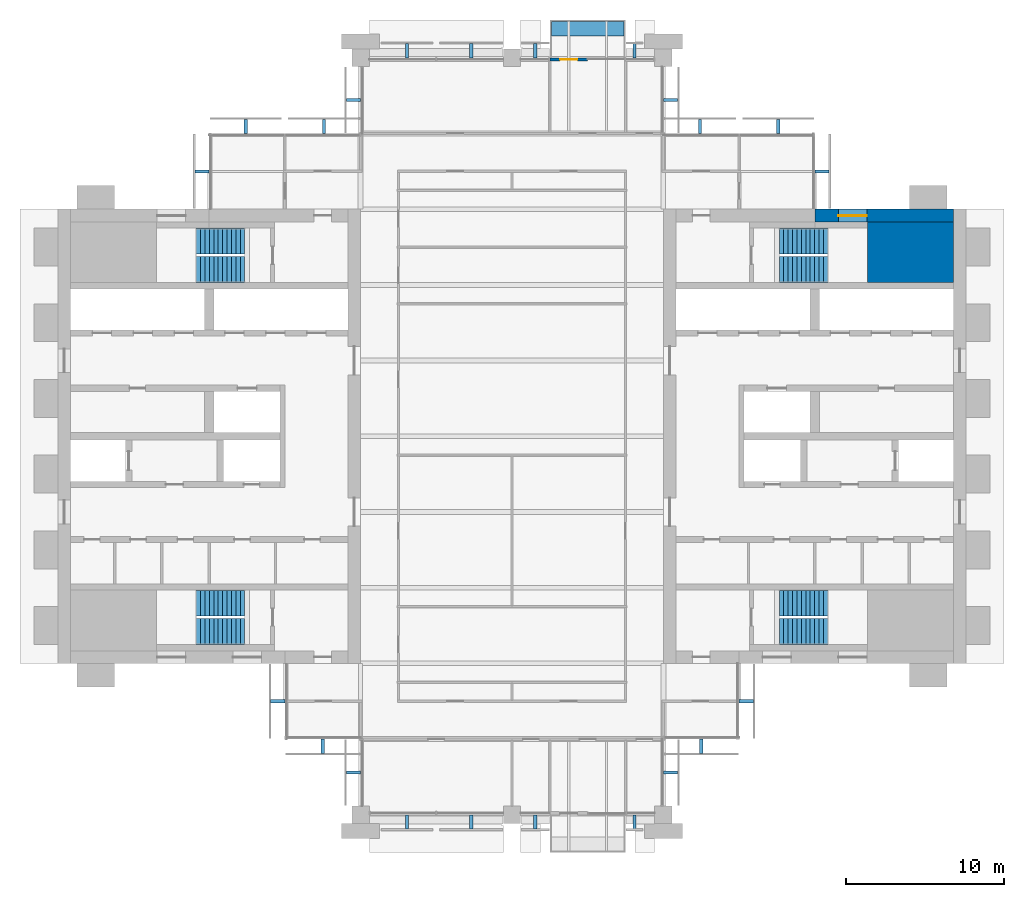
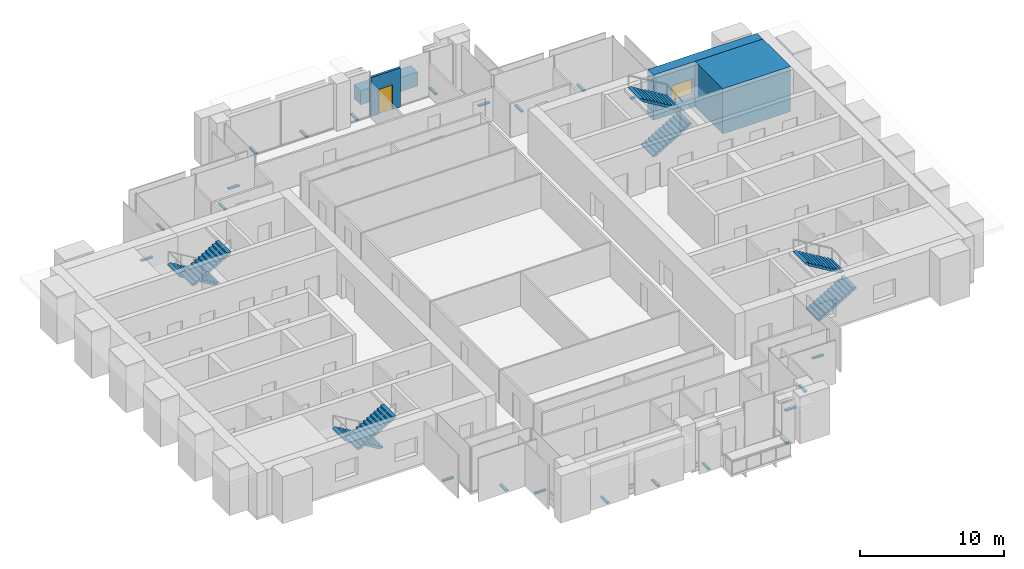
# One storey, part 12 of 14: 22 discrete accessories, 8 stair flights, 4 walls, 1 door, 1 window, 2 openings, 4 elements without a shape of their own.
"""IFC4 building model written with IfcOpenShell, lengths in metres."""

import ifcopenshell
import ifcopenshell.guid

model = None  # the IFC model being written
_history = None  # IfcOwnerHistory: only IFC2X3 demands one
_inside = {}  # id of a spatial element -> (the spatial element, [elements in it])
_under = {}  # id of a project, library or spatial element -> (it, [spatial elements below it])
_declared = {}  # id of a project -> (the project, [libraries it declares])
_typed = {}  # id of a type object -> (the type object, [elements of that type])
_made_of = {}  # id of a material, layer set ... -> (it, [elements and type objects made of it])


def new_model(schema):
    """Start an empty IFC model of exactly this schema.

    Asked for "IFC4X3", IfcOpenShell would pick the latest addendum, in which some entities
    have other attributes; the version numbers below select the first issue.
    IFC2X3 requires an IfcOwnerHistory on every rooted entity: one is made here for all.
    """
    global model, _history
    if schema == "IFC4X3":
        model = ifcopenshell.file(schema_version=(4, 3, 0, 0))
    else:
        model = ifcopenshell.file(schema=schema)
    _inside.clear()
    _under.clear()
    _declared.clear()
    _typed.clear()
    _made_of.clear()
    _history = None
    if model.schema == "IFC2X3":
        org = make("IfcOrganization", Name="unknown")
        user = make(
            "IfcPersonAndOrganization",
            ThePerson=make("IfcPerson", FamilyName="unknown"),
            TheOrganization=org,
        )
        app = make(
            "IfcApplication",
            ApplicationDeveloper=org,
            Version="unknown",
            ApplicationFullName="unknown",
            ApplicationIdentifier="unknown",
        )
        _history = make(
            "IfcOwnerHistory",
            OwningUser=user,
            OwningApplication=app,
            ChangeAction="ADDED",
            CreationDate=0,
        )
    return model


def make(cls, **values):
    """One entity of the class cls with the attributes given. An attribute that is None is left unset."""
    return model.create_entity(
        cls, **{name: value for name, value in values.items() if value is not None}
    )


def rooted(cls, **values):
    """An entity with a GlobalId (a new one), such as an element, a storey or a relation."""
    return make(cls, GlobalId=ifcopenshell.guid.new(), OwnerHistory=_history, **values)


def si_unit(unit_type, name, prefix=None):
    """IfcSIUnit, for example si_unit("LENGTHUNIT", "METRE", prefix="MILLI")."""
    return make("IfcSIUnit", UnitType=unit_type, Prefix=prefix, Name=name)


def assignment(units):
    """IfcUnitAssignment: the units of a project."""
    return None if units is None else make("IfcUnitAssignment", Units=units)


def point(xyz):
    """IfcCartesianPoint."""
    return None if xyz is None else make("IfcCartesianPoint", Coordinates=xyz)


def direction(xyz):
    """IfcDirection."""
    return None if xyz is None else make("IfcDirection", DirectionRatios=xyz)


def frame(location, z_axis=None, x_axis=None):
    """IfcAxis2Placement3D, a coordinate frame: its origin and axes. An axis left out is left unset."""
    return make(
        "IfcAxis2Placement3D",
        Location=point(location),
        Axis=direction(z_axis),
        RefDirection=direction(x_axis),
    )


def frame_2d(location, x_axis=None):
    """IfcAxis2Placement2D, a coordinate frame in the plane: its origin and x axis."""
    return make(
        "IfcAxis2Placement2D", Location=point(location), RefDirection=direction(x_axis)
    )


def origin():
    """The frame at (0, 0, 0) with its axes left unset."""
    return frame((0.0, 0.0, 0.0))


def origin_2d():
    """The frame at (0, 0) in the plane with its x axis left unset."""
    return frame_2d((0.0, 0.0))


def place(relative_to, where):
    """IfcLocalPlacement: puts the frame where relative to a parent placement (None: the world)."""
    return make(
        "IfcLocalPlacement", PlacementRelTo=relative_to, RelativePlacement=where
    )


def context(
    kind, dimensions, precision=None, world=None, true_north=None, identifier=None
):
    """IfcGeometricRepresentationContext, for example the 3D "Model" context."""
    return make(
        "IfcGeometricRepresentationContext",
        ContextIdentifier=identifier,
        ContextType=kind,
        CoordinateSpaceDimension=dimensions,
        Precision=precision,
        WorldCoordinateSystem=world,
        TrueNorth=true_north,
    )


def subcontext(parent, identifier, kind, view, scale=None):
    """IfcGeometricRepresentationSubContext, for example "Body" below "Model"."""
    return make(
        "IfcGeometricRepresentationSubContext",
        ContextIdentifier=identifier,
        ContextType=kind,
        ParentContext=parent,
        TargetScale=scale,
        TargetView=view,
    )


def project(units=None, contexts=None):
    """IfcProject with its units and contexts."""
    return rooted(
        "IfcProject",
        Name="project",
        RepresentationContexts=contexts,
        UnitsInContext=assignment(units),
    )


def spatial(cls, under=None, at=None, **own):
    """A site, building, storey or space (cls), placed at a placement, below another one or the project."""
    s = rooted(cls, ObjectPlacement=at, **own)
    if under is not None:
        _under.setdefault(under.id(), (under, []))[1].append(s)
    return s


def polyline(points):
    """IfcPolyline through the points."""
    return make("IfcPolyline", Points=[point(p) for p in points])


def profile(cls, at=None, kind="AREA", **sizes):
    """A parametric profile (cls). Its sizes go by their IFC names, for example OverallWidth=200.0."""
    return make(cls, ProfileType=kind, Position=at, **sizes)


def rectangle(**sizes):
    """IfcRectangleProfileDef."""
    return profile("IfcRectangleProfileDef", **sizes)


def outline(outer, holes=None, kind="AREA"):
    """IfcArbitraryClosedProfileDef: a profile drawn as a closed curve; with holes, ...WithVoids."""
    if holes is None:
        return make("IfcArbitraryClosedProfileDef", ProfileType=kind, OuterCurve=outer)
    return make(
        "IfcArbitraryProfileDefWithVoids",
        ProfileType=kind,
        OuterCurve=outer,
        InnerCurves=holes,
    )


def extrude(swept, where, along, depth):
    """IfcExtrudedAreaSolid: the profile swept, set in the frame where, extruded along a direction by depth."""
    return make(
        "IfcExtrudedAreaSolid",
        SweptArea=swept,
        Position=where,
        ExtrudedDirection=direction(along),
        Depth=depth,
    )


def shape(context_of_items, identifier, shape_type, items):
    """IfcShapeRepresentation: the items that make up one representation, for example the "Body"."""
    return make(
        "IfcShapeRepresentation",
        ContextOfItems=context_of_items,
        RepresentationIdentifier=identifier,
        RepresentationType=shape_type,
        Items=items,
    )


def material(Name=None, Category=None):
    """IfcMaterial."""
    return make("IfcMaterial", Name=Name, Category=Category)


def layer(
    of_material, thickness, ventilated=None, Name=None, Category=None, Priority=None
):
    """IfcMaterialLayer: one layer of a wall or slab, of a material (None: an air gap)."""
    return make(
        "IfcMaterialLayer",
        Material=of_material,
        LayerThickness=thickness,
        IsVentilated=ventilated,
        Name=Name,
        Category=Category,
        Priority=Priority,
    )


def layer_set(layers, Name=None):
    """IfcMaterialLayerSet."""
    return make("IfcMaterialLayerSet", MaterialLayers=layers, LayerSetName=Name)


def made_of(thing, what):
    """Note that an element or type object is made of a material, layer set ...; save() writes the relation."""
    if what is not None:
        _made_of.setdefault(what.id(), (what, []))[1].append(thing)
    return thing


def type_object(cls, material=None, **own):
    """A type object (cls), such as IfcWallType, which elements share."""
    return made_of(rooted(cls, **own), material)


def element(
    cls,
    number,
    at=None,
    inside=None,
    cuts=None,
    type_object=None,
    material=None,
    context=None,
    identifier="Body",
    shape_type=None,
    held_by="IfcProductDefinitionShape",
    body=None,
    shapes=None,
    **own,
):
    """One element of the class cls, such as IfcWall. Its Tag is "e" and its number.

    at: its placement. inside: the storey or other place that contains it. cuts: it is an
    opening in that element (IfcRelVoidsElement). A single representation is given by context,
    identifier, shape_type and body (its items); several are given by shapes. held_by: the class
    of the entity that holds the representations. save() writes the other relations.
    """
    e = rooted(cls, Tag="e%d" % number, ObjectPlacement=at, **own)
    if body is not None:
        shapes = [shape(context, identifier, shape_type, body)]
    if shapes is not None:
        e.Representation = make(held_by, Representations=shapes)
    if inside is not None:
        _inside.setdefault(inside.id(), (inside, []))[1].append(e)
    if cuts is not None:
        rooted(
            "IfcRelVoidsElement", RelatingBuildingElement=cuts, RelatedOpeningElement=e
        )
    if type_object is not None:
        _typed.setdefault(type_object.id(), (type_object, []))[1].append(e)
    return made_of(e, material)


def fill(opening, filler):
    """IfcRelFillsElement: the door or window that sits in an opening."""
    return rooted(
        "IfcRelFillsElement",
        RelatingOpeningElement=opening,
        RelatedBuildingElement=filler,
    )


def aggregate(whole, parts):
    """IfcRelAggregates: a whole, such as a stair, and the parts it consists of."""
    return rooted("IfcRelAggregates", RelatingObject=whole, RelatedObjects=parts)


def save(model, path):
    """Write the relations noted so far, then the file.

    IfcRelAggregates (storeys below a building ...), IfcRelContainedInSpatialStructure (elements
    in a storey), IfcRelDefinesByType, IfcRelAssociatesMaterial and IfcRelDeclares: one each for
    every whole, place, type object, material and project.
    """
    for whole, parts in _under.values():
        aggregate(whole, parts)
    for where, things in _inside.values():
        rooted(
            "IfcRelContainedInSpatialStructure",
            RelatedElements=things,
            RelatingStructure=where,
        )
    for kind, things in _typed.values():
        rooted("IfcRelDefinesByType", RelatedObjects=things, RelatingType=kind)
    for what, things in _made_of.values():
        rooted("IfcRelAssociatesMaterial", RelatedObjects=things, RelatingMaterial=what)
    for by, libraries in _declared.values():
        rooted("IfcRelDeclares", RelatingContext=by, RelatedDefinitions=libraries)
    model.write(path)


model = new_model("IFC4")

# Units and contexts
model_context = context("Model", 3, precision=1e-05, world=origin(), true_north=direction((0.0, 1.0)))
body_context = subcontext(model_context, "Body", "Model", "MODEL_VIEW")
ifc_project = project(units=[si_unit("LENGTHUNIT", "METRE"), si_unit("AREAUNIT", "SQUARE_METRE"), si_unit("VOLUMEUNIT", "CUBIC_METRE"), si_unit("PLANEANGLEUNIT", "RADIAN"), si_unit("MASSUNIT", "GRAM", prefix="KILO")], contexts=[model_context])

# Site, building, storey
site_placement = place(None, origin())
site = spatial("IfcSite", under=ifc_project, at=site_placement, CompositionType="ELEMENT")
building_placement = place(site_placement, origin())
building = spatial("IfcBuilding", under=site, at=building_placement, Name="Baori Bourse Tower", CompositionType="ELEMENT")
storey_placement = place(building_placement, frame((0.0, 0.0, 245.199951171875)))
storey = spatial("IfcBuildingStorey", under=building, at=storey_placement, Name="L54", CompositionType="ELEMENT", Elevation=245.199951171875)

# Wall
ifc_material_1 = material(Name="Concrete f'c 50 MPa", Category="concrete")
wall_type_1 = type_object("IfcWallType", Name="Core corner block f'c 50", PredefinedType="SHEAR", material=ifc_material_1)
wall_1_placement = place(storey_placement, frame((51.35009765625, 35.675048828125, 0.0), z_axis=(0.0, 0.0, 1.0), x_axis=(1.0, 0.0, 0.0)))
element("IfcWall", 1, at=wall_1_placement, inside=storey, type_object=wall_type_1, Name="Core wall E24", PredefinedType="SHEAR", context=body_context, shape_type="SweptSolid", body=[
    extrude(rectangle(XDim=5.449951171875, YDim=3.85009765625, at=frame_2d((2.72509765625, 0.0))), origin(), (0.0, 0.0, 1.0), 3.840087890625),
])

# Wall, opening, window
ifc_material_2 = material(Name="Concrete f'c 50 MPa", Category="concrete")
ifc_layer_1 = layer(ifc_material_2, 0.800048828125)
ifc_layer_set_1 = layer_set([ifc_layer_1], Name="Core wall 800 f'c 50")
wall_type_2 = type_object("IfcWallType", Name="Core wall 800 f'c 50", PredefinedType="SHEAR", material=ifc_layer_set_1)
wall_2_placement = place(storey_placement, frame((48.0, 38.0, 0.0), z_axis=(0.0, 0.0, 1.0), x_axis=(1.0, 0.0, 0.0)))
wall_2 = element("IfcWall", 2, at=wall_2_placement, inside=storey, type_object=wall_type_2, Name="Core wall E28", PredefinedType="SHEAR", context=body_context, shape_type="SweptSolid", body=[
    extrude(rectangle(XDim=8.800048828125, YDim=0.800048828125, at=frame_2d((4.39990234375, 0.0))), origin(), (0.0, 0.0, 1.0), 3.840087890625),
])
opening_1_placement = place(wall_2_placement, frame((1.5, 0.0, 0.89990234375)))
opening_1 = element("IfcOpeningElement", 3, at=opening_1_placement, cuts=wall_2, Name="Opening L54-KW205", PredefinedType="OPENING", context=body_context, shape_type="SweptSolid", body=[
    extrude(rectangle(XDim=1.800048828125, YDim=1.5, at=frame_2d((0.89990234375, 0.75))), frame((0.0, 0.409912109375, 0.0), z_axis=(0.0, -1.0, 0.0), x_axis=(1.0, 0.0, 0.0)), (0.0, 0.0, 1.0), 0.820068359375),
])
ifc_material_3 = material(Name="Pale anodised aluminium", Category="aluminium")
window_type = type_object("IfcWindowType", Name="Stair window 1800 x 1500", PartitioningType="SINGLE_PANEL", PredefinedType="WINDOW", material=ifc_material_3)
window_placement = place(opening_1_placement, origin())
window = element("IfcWindow", 4, at=window_placement, inside=storey, type_object=window_type, Name="Stair window E L54 5", OverallHeight=1.5, OverallWidth=1.800048828125, PartitioningType="SINGLE_PANEL", PredefinedType="WINDOW", context=body_context, shape_type="SweptSolid", body=[
    extrude(rectangle(XDim=1.800048828125, YDim=1.5, at=frame_2d((0.89990234375, 0.75))), frame((0.0, 0.030029296875, 0.0), z_axis=(0.0, -1.0, 0.0), x_axis=(1.0, 0.0, 0.0)), (0.0, 0.0, 1.0), 0.06005859375),
])
fill(opening_1, window)

# Wall, opening, door
ifc_material_4 = material(Name="Pale anodised aluminium", Category="aluminium")
ifc_layer_2 = layer(ifc_material_4, 0.199951171875)
ifc_layer_set_2 = layer_set([ifc_layer_2], Name="EW1 External wall bay")
wall_type_3 = type_object("IfcWallType", Name="EW1 External wall bay", PredefinedType="SOLIDWALL", material=ifc_layer_set_2)
wall_3_placement = place(storey_placement, frame((33.60009765625, 47.89990234375, 0.0), z_axis=(0.0, 0.0, 1.0), x_axis=(-1.0, 0.0, 0.0)))
wall_3 = element("IfcWall", 5, at=wall_3_placement, inside=storey, type_object=wall_type_3, Name="External wall bay L54 1", PredefinedType="SOLIDWALL", context=body_context, shape_type="SweptSolid", body=[
    extrude(rectangle(XDim=2.400146484375, YDim=0.199951171875, at=frame_2d((1.2001953125, 0.0))), origin(), (0.0, 0.0, 1.0), 3.314208984375),
])
opening_2_placement = place(wall_3_placement, frame((0.64990234375, 0.0, 0.0)))
opening_2 = element("IfcOpeningElement", 6, at=opening_2_placement, cuts=wall_3, Name="Opening L54-D91", PredefinedType="OPENING", context=body_context, shape_type="SweptSolid", body=[
    extrude(rectangle(XDim=1.10009765625, YDim=2.10009765625, at=frame_2d((0.550048828125, 1.050048828125))), frame((0.0, 0.10986328125, 0.0), z_axis=(0.0, -1.0, 0.0), x_axis=(1.0, 0.0, 0.0)), (0.0, 0.0, 1.0), 0.219970703125),
])
ifc_material_5 = material(Name="Pale anodised aluminium", Category="aluminium")
door_type = type_object("IfcDoorType", Name="BL1 Balcony door", OperationType="SINGLE_SWING_LEFT", PredefinedType="DOOR", material=ifc_material_5)
door_placement = place(opening_2_placement, origin())
door = element("IfcDoor", 7, at=door_placement, inside=storey, type_object=door_type, Name="Balcony door L54 1", OperationType="SINGLE_SWING_LEFT", OverallHeight=2.10009765625, OverallWidth=1.10009765625, PredefinedType="DOOR", context=body_context, shape_type="SweptSolid", body=[
    extrude(rectangle(XDim=1.10009765625, YDim=2.10009765625, at=frame_2d((0.550048828125, 1.050048828125))), frame((0.0, 0.02490234375, 0.0), z_axis=(0.0, -1.0, 0.0), x_axis=(1.0, 0.0, 0.0)), (0.0, 0.0, 1.0), 0.050048828125),
])
fill(opening_2, door)

# Wall
ifc_material_6 = material(Name="Concrete f'c 40 MPa", Category="concrete")
ifc_layer_3 = layer(ifc_material_6, 0.89990234375)
ifc_layer_set_3 = layer_set([ifc_layer_3], Name="PW1 Planter wall")
wall_type_4 = type_object("IfcWallType", Name="PW1 Planter wall", PredefinedType="USERDEFINED", material=ifc_layer_set_3)
wall_4_placement = place(storey_placement, frame((31.300048828125, 49.85009765625, 0.0), z_axis=(0.0, 0.0, 1.0), x_axis=(1.0, 0.0, 0.0)))
element("IfcWall", 8, at=wall_4_placement, inside=storey, type_object=wall_type_4, Name="Planter balcony N L54 2", ObjectType="PLANTER", PredefinedType="USERDEFINED", context=body_context, shape_type="SweptSolid", body=[
    extrude(rectangle(XDim=4.599853515625, YDim=0.89990234375, at=frame_2d((2.2998046875, 0.0))), origin(), (0.0, 0.0, 1.0), 1.199951171875),
])

# Stair, stair flights
ifc_material_7 = material(Name="Concrete f'c 50 MPa", Category="concrete")
stair_type = type_object("IfcStairType", Name="Core stair", PredefinedType="HALF_TURN_STAIR", material=ifc_material_7)
stair_1_placement = place(storey_placement, origin())
stair_1 = element("IfcStair", 9, at=stair_1_placement, inside=storey, type_object=stair_type, Name="L54 Stair WA", PredefinedType="HALF_TURN_STAIR")
ifc_material_8 = material(Name="Concrete f'c 50 MPa", Category="concrete")
stair_flight_type = type_object("IfcStairFlightType", Name="Core stair flight", PredefinedType="STRAIGHT", material=ifc_material_8)
stair_flight_1_placement = place(storey_placement, frame((11.85009765625, 13.425048828125, 0.0), z_axis=(0.0, 0.0, 1.0), x_axis=(-1.0, 0.0, 0.0)))
stair_flight_1 = element("IfcStairFlight", 10, at=stair_flight_1_placement, type_object=stair_flight_type, Name="ST1 flight 1", NumberOfRisers=12, NumberOfTreads=11, PredefinedType="STRAIGHT", RiserHeight=0.166666667, TreadLength=0.28, context=body_context, shape_type="SweptSolid", body=[
    extrude(outline(polyline([(0.0, 0.0), (0.0, 0.166748046875), (0.280029296875, 0.166748046875), (0.280029296875, 0.333251953125), (0.56005859375, 0.333251953125), (0.56005859375, 0.5), (0.840087890625, 0.5), (0.840087890625, 0.666748046875), (1.1201171875, 0.666748046875), (1.1201171875, 0.833251953125), (1.39990234375, 0.833251953125), (1.39990234375, 1.0), (1.679931640625, 1.0), (1.679931640625, 1.166748046875), (1.9599609375, 1.166748046875), (1.9599609375, 1.333251953125), (2.239990234375, 1.333251953125), (2.239990234375, 1.5), (2.52001953125, 1.5), (2.52001953125, 1.666748046875), (2.800048828125, 1.666748046875), (2.800048828125, 1.833251953125), (3.080078125, 1.833251953125), (3.080078125, 2.0), (3.080078125, 1.658935546875), (0.29296875, 0.0), (0.0, 0.0)])), frame((0.0, 0.824951171875, 0.0), z_axis=(0.0, -1.0, 0.0), x_axis=(1.0, 0.0, 0.0)), (0.0, 0.0, 1.0), 1.64990234375),
])
stair_flight_2_placement = place(storey_placement, frame((8.77001953125, 11.625, 2.0), z_axis=(0.0, 0.0, 1.0), x_axis=(1.0, 0.0, 0.0)))
stair_flight_2 = element("IfcStairFlight", 11, at=stair_flight_2_placement, type_object=stair_flight_type, Name="ST1 flight 2", NumberOfRisers=12, NumberOfTreads=11, PredefinedType="STRAIGHT", RiserHeight=0.166666667, TreadLength=0.28, context=body_context, shape_type="SweptSolid", body=[
    extrude(outline(polyline([(0.0, 0.0), (0.0, 0.166748046875), (0.280029296875, 0.166748046875), (0.280029296875, 0.333251953125), (0.56005859375, 0.333251953125), (0.56005859375, 0.5), (0.840087890625, 0.5), (0.840087890625, 0.666748046875), (1.1201171875, 0.666748046875), (1.1201171875, 0.833251953125), (1.39990234375, 0.833251953125), (1.39990234375, 1.0), (1.679931640625, 1.0), (1.679931640625, 1.166748046875), (1.9599609375, 1.166748046875), (1.9599609375, 1.333251953125), (2.239990234375, 1.333251953125), (2.239990234375, 1.5), (2.52001953125, 1.5), (2.52001953125, 1.666748046875), (2.800048828125, 1.666748046875), (2.800048828125, 1.833251953125), (3.080078125, 1.833251953125), (3.080078125, 2.0), (3.080078125, 1.658935546875), (0.29296875, 0.0), (0.0, 0.0)])), frame((0.0, 0.824951171875, 0.0), z_axis=(0.0, -1.0, 0.0), x_axis=(1.0, 0.0, 0.0)), (0.0, 0.0, 1.0), 1.64990234375),
])
aggregate(stair_1, [stair_flight_1, stair_flight_2])

stair_2_placement = place(storey_placement, origin())
stair_2 = element("IfcStair", 12, at=stair_2_placement, inside=storey, type_object=stair_type, Name="L54 Stair WB", PredefinedType="HALF_TURN_STAIR")
stair_flight_3_placement = place(storey_placement, frame((11.85009765625, 36.375, 0.0), z_axis=(0.0, 0.0, 1.0), x_axis=(-1.0, 0.0, 0.0)))
stair_flight_3 = element("IfcStairFlight", 13, at=stair_flight_3_placement, type_object=stair_flight_type, Name="ST2 flight 1", NumberOfRisers=12, NumberOfTreads=11, PredefinedType="STRAIGHT", RiserHeight=0.166666667, TreadLength=0.28, context=body_context, shape_type="SweptSolid", body=[
    extrude(outline(polyline([(0.0, 0.0), (0.0, 0.166748046875), (0.280029296875, 0.166748046875), (0.280029296875, 0.333251953125), (0.56005859375, 0.333251953125), (0.56005859375, 0.5), (0.840087890625, 0.5), (0.840087890625, 0.666748046875), (1.1201171875, 0.666748046875), (1.1201171875, 0.833251953125), (1.39990234375, 0.833251953125), (1.39990234375, 1.0), (1.679931640625, 1.0), (1.679931640625, 1.166748046875), (1.9599609375, 1.166748046875), (1.9599609375, 1.333251953125), (2.239990234375, 1.333251953125), (2.239990234375, 1.5), (2.52001953125, 1.5), (2.52001953125, 1.666748046875), (2.800048828125, 1.666748046875), (2.800048828125, 1.833251953125), (3.080078125, 1.833251953125), (3.080078125, 2.0), (3.080078125, 1.658935546875), (0.29296875, 0.0), (0.0, 0.0)])), frame((0.0, 0.824951171875, 0.0), z_axis=(0.0, -1.0, 0.0), x_axis=(1.0, 0.0, 0.0)), (0.0, 0.0, 1.0), 1.64990234375),
])
stair_flight_4_placement = place(storey_placement, frame((8.77001953125, 34.574951171875, 2.0), z_axis=(0.0, 0.0, 1.0), x_axis=(1.0, 0.0, 0.0)))
stair_flight_4 = element("IfcStairFlight", 14, at=stair_flight_4_placement, type_object=stair_flight_type, Name="ST2 flight 2", NumberOfRisers=12, NumberOfTreads=11, PredefinedType="STRAIGHT", RiserHeight=0.166666667, TreadLength=0.28, context=body_context, shape_type="SweptSolid", body=[
    extrude(outline(polyline([(0.0, 0.0), (0.0, 0.166748046875), (0.280029296875, 0.166748046875), (0.280029296875, 0.333251953125), (0.56005859375, 0.333251953125), (0.56005859375, 0.5), (0.840087890625, 0.5), (0.840087890625, 0.666748046875), (1.1201171875, 0.666748046875), (1.1201171875, 0.833251953125), (1.39990234375, 0.833251953125), (1.39990234375, 1.0), (1.679931640625, 1.0), (1.679931640625, 1.166748046875), (1.9599609375, 1.166748046875), (1.9599609375, 1.333251953125), (2.239990234375, 1.333251953125), (2.239990234375, 1.5), (2.52001953125, 1.5), (2.52001953125, 1.666748046875), (2.800048828125, 1.666748046875), (2.800048828125, 1.833251953125), (3.080078125, 1.833251953125), (3.080078125, 2.0), (3.080078125, 1.658935546875), (0.29296875, 0.0), (0.0, 0.0)])), frame((0.0, 0.824951171875, 0.0), z_axis=(0.0, -1.0, 0.0), x_axis=(1.0, 0.0, 0.0)), (0.0, 0.0, 1.0), 1.64990234375),
])
aggregate(stair_2, [stair_flight_3, stair_flight_4])

stair_3_placement = place(storey_placement, origin())
stair_3 = element("IfcStair", 15, at=stair_3_placement, inside=storey, type_object=stair_type, Name="L54 Stair EA", PredefinedType="HALF_TURN_STAIR")
stair_flight_5_placement = place(storey_placement, frame((45.75, 11.625, 0.0), z_axis=(0.0, 0.0, 1.0), x_axis=(1.0, 0.0, 0.0)))
stair_flight_5 = element("IfcStairFlight", 16, at=stair_flight_5_placement, type_object=stair_flight_type, Name="ST3 flight 1", NumberOfRisers=12, NumberOfTreads=11, PredefinedType="STRAIGHT", RiserHeight=0.166666667, TreadLength=0.28, context=body_context, shape_type="SweptSolid", body=[
    extrude(outline(polyline([(0.0, 0.0), (0.0, 0.166748046875), (0.280029296875, 0.166748046875), (0.280029296875, 0.333251953125), (0.56005859375, 0.333251953125), (0.56005859375, 0.5), (0.840087890625, 0.5), (0.840087890625, 0.666748046875), (1.1201171875, 0.666748046875), (1.1201171875, 0.833251953125), (1.39990234375, 0.833251953125), (1.39990234375, 1.0), (1.679931640625, 1.0), (1.679931640625, 1.166748046875), (1.9599609375, 1.166748046875), (1.9599609375, 1.333251953125), (2.239990234375, 1.333251953125), (2.239990234375, 1.5), (2.52001953125, 1.5), (2.52001953125, 1.666748046875), (2.800048828125, 1.666748046875), (2.800048828125, 1.833251953125), (3.080078125, 1.833251953125), (3.080078125, 2.0), (3.080078125, 1.658935546875), (0.29296875, 0.0), (0.0, 0.0)])), frame((0.0, 0.824951171875, 0.0), z_axis=(0.0, -1.0, 0.0), x_axis=(1.0, 0.0, 0.0)), (0.0, 0.0, 1.0), 1.64990234375),
])
stair_flight_6_placement = place(storey_placement, frame((48.830078125, 13.425048828125, 2.0), z_axis=(0.0, 0.0, 1.0), x_axis=(-1.0, 0.0, 0.0)))
stair_flight_6 = element("IfcStairFlight", 17, at=stair_flight_6_placement, type_object=stair_flight_type, Name="ST3 flight 2", NumberOfRisers=12, NumberOfTreads=11, PredefinedType="STRAIGHT", RiserHeight=0.166666667, TreadLength=0.28, context=body_context, shape_type="SweptSolid", body=[
    extrude(outline(polyline([(0.0, 0.0), (0.0, 0.166748046875), (0.280029296875, 0.166748046875), (0.280029296875, 0.333251953125), (0.56005859375, 0.333251953125), (0.56005859375, 0.5), (0.840087890625, 0.5), (0.840087890625, 0.666748046875), (1.1201171875, 0.666748046875), (1.1201171875, 0.833251953125), (1.39990234375, 0.833251953125), (1.39990234375, 1.0), (1.679931640625, 1.0), (1.679931640625, 1.166748046875), (1.9599609375, 1.166748046875), (1.9599609375, 1.333251953125), (2.239990234375, 1.333251953125), (2.239990234375, 1.5), (2.52001953125, 1.5), (2.52001953125, 1.666748046875), (2.800048828125, 1.666748046875), (2.800048828125, 1.833251953125), (3.080078125, 1.833251953125), (3.080078125, 2.0), (3.080078125, 1.658935546875), (0.29296875, 0.0), (0.0, 0.0)])), frame((0.0, 0.824951171875, 0.0), z_axis=(0.0, -1.0, 0.0), x_axis=(1.0, 0.0, 0.0)), (0.0, 0.0, 1.0), 1.64990234375),
])
aggregate(stair_3, [stair_flight_5, stair_flight_6])

stair_4_placement = place(storey_placement, origin())
stair_4 = element("IfcStair", 18, at=stair_4_placement, inside=storey, type_object=stair_type, Name="L54 Stair EB", PredefinedType="HALF_TURN_STAIR")
stair_flight_7_placement = place(storey_placement, frame((45.75, 34.574951171875, 0.0), z_axis=(0.0, 0.0, 1.0), x_axis=(1.0, 0.0, 0.0)))
stair_flight_7 = element("IfcStairFlight", 19, at=stair_flight_7_placement, type_object=stair_flight_type, Name="ST4 flight 1", NumberOfRisers=12, NumberOfTreads=11, PredefinedType="STRAIGHT", RiserHeight=0.166666667, TreadLength=0.28, context=body_context, shape_type="SweptSolid", body=[
    extrude(outline(polyline([(0.0, 0.0), (0.0, 0.166748046875), (0.280029296875, 0.166748046875), (0.280029296875, 0.333251953125), (0.56005859375, 0.333251953125), (0.56005859375, 0.5), (0.840087890625, 0.5), (0.840087890625, 0.666748046875), (1.1201171875, 0.666748046875), (1.1201171875, 0.833251953125), (1.39990234375, 0.833251953125), (1.39990234375, 1.0), (1.679931640625, 1.0), (1.679931640625, 1.166748046875), (1.9599609375, 1.166748046875), (1.9599609375, 1.333251953125), (2.239990234375, 1.333251953125), (2.239990234375, 1.5), (2.52001953125, 1.5), (2.52001953125, 1.666748046875), (2.800048828125, 1.666748046875), (2.800048828125, 1.833251953125), (3.080078125, 1.833251953125), (3.080078125, 2.0), (3.080078125, 1.658935546875), (0.29296875, 0.0), (0.0, 0.0)])), frame((0.0, 0.824951171875, 0.0), z_axis=(0.0, -1.0, 0.0), x_axis=(1.0, 0.0, 0.0)), (0.0, 0.0, 1.0), 1.64990234375),
])
stair_flight_8_placement = place(storey_placement, frame((48.830078125, 36.375, 2.0), z_axis=(0.0, 0.0, 1.0), x_axis=(-1.0, 0.0, 0.0)))
stair_flight_8 = element("IfcStairFlight", 20, at=stair_flight_8_placement, type_object=stair_flight_type, Name="ST4 flight 2", NumberOfRisers=12, NumberOfTreads=11, PredefinedType="STRAIGHT", RiserHeight=0.166666667, TreadLength=0.28, context=body_context, shape_type="SweptSolid", body=[
    extrude(outline(polyline([(0.0, 0.0), (0.0, 0.166748046875), (0.280029296875, 0.166748046875), (0.280029296875, 0.333251953125), (0.56005859375, 0.333251953125), (0.56005859375, 0.5), (0.840087890625, 0.5), (0.840087890625, 0.666748046875), (1.1201171875, 0.666748046875), (1.1201171875, 0.833251953125), (1.39990234375, 0.833251953125), (1.39990234375, 1.0), (1.679931640625, 1.0), (1.679931640625, 1.166748046875), (1.9599609375, 1.166748046875), (1.9599609375, 1.333251953125), (2.239990234375, 1.333251953125), (2.239990234375, 1.5), (2.52001953125, 1.5), (2.52001953125, 1.666748046875), (2.800048828125, 1.666748046875), (2.800048828125, 1.833251953125), (3.080078125, 1.833251953125), (3.080078125, 2.0), (3.080078125, 1.658935546875), (0.29296875, 0.0), (0.0, 0.0)])), frame((0.0, 0.824951171875, 0.0), z_axis=(0.0, -1.0, 0.0), x_axis=(1.0, 0.0, 0.0)), (0.0, 0.0, 1.0), 1.64990234375),
])
aggregate(stair_4, [stair_flight_7, stair_flight_8])

# Discrete accessories
ifc_material_9 = material(Name="Pale anodised aluminium", Category="aluminium")
discrete_accessory_type = type_object("IfcDiscreteAccessoryType", Name="OS2 Outer skin bracket", PredefinedType="BRACKET", material=ifc_material_9)
for number, where, z_axis, x_axis, name in (
    (21, (48.449951171875, 40.800048828125, -0.143798828125), (0.0, 0.0, 1.0), (0.0, 1.0, 0.0), "Outer skin bracket L54 1"),
    (22, (45.6875, 43.64990234375, -0.143798828125), (0.0, 0.0, 1.0), (-1.0, 0.0, 0.0), "Outer skin bracket L54 2"),
    (23, (40.71240234375, 43.64990234375, -0.143798828125), (0.0, 0.0, 1.0), (-1.0, 0.0, 0.0), "Outer skin bracket L54 3"),
    (24, (38.85009765625, 45.324951171875, -0.143798828125), (0.0, 0.0, 1.0), (0.0, 1.0, 0.0), "Outer skin bracket L54 4"),
    (25, (36.574951171875, 48.449951171875, -0.143798828125), (0.0, 0.0, 1.0), (-1.0, 0.0, 0.0), "Outer skin bracket L54 5"),
    (26, (30.27490234375, 48.449951171875, -0.143798828125), (0.0, 0.0, 1.0), (-1.0, 0.0, 0.0), "Outer skin bracket L54 6"),
    (27, (26.21240234375, 48.449951171875, -0.143798828125), (0.0, 0.0, 1.0), (-1.0, 0.0, 0.0), "Outer skin bracket L54 7"),
    (28, (22.137451171875, 48.449951171875, -0.143798828125), (0.0, 0.0, 1.0), (-1.0, 0.0, 0.0), "Outer skin bracket L54 8"),
    (29, (18.75, 45.324951171875, -0.143798828125), (0.0, 0.0, 1.0), (0.0, -1.0, 0.0), "Outer skin bracket L54 9"),
    (30, (16.887451171875, 43.64990234375, -0.143798828125), (0.0, 0.0, 1.0), (-1.0, 0.0, 0.0), "Outer skin bracket L54 10"),
    (31, (11.91259765625, 43.64990234375, -0.143798828125), (0.0, 0.0, 1.0), (-1.0, 0.0, 0.0), "Outer skin bracket L54 11"),
    (32, (9.14990234375, 40.800048828125, -0.143798828125), (0.0, 0.0, 1.0), (0.0, -1.0, 0.0), "Outer skin bracket L54 12"),
    (33, (13.949951171875, 7.199951171875, -0.143798828125), (0.0, 0.0, 1.0), (0.0, -1.0, 0.0), "Outer skin bracket L54 13"),
    (34, (16.800048828125, 4.35009765625, -0.143798828125), (0.0, 0.0, 1.0), (1.0, 0.0, 0.0), "Outer skin bracket L54 14"),
    (35, (18.75, 2.675048828125, -0.143798828125), (0.0, 0.0, 1.0), (0.0, -1.0, 0.0), "Outer skin bracket L54 15"),
    (36, (22.137451171875, -0.449951171875, -0.143798828125), (0.0, 0.0, 1.0), (1.0, 0.0, 0.0), "Outer skin bracket L54 16"),
    (37, (26.21240234375, -0.449951171875, -0.143798828125), (0.0, 0.0, 1.0), (1.0, 0.0, 0.0), "Outer skin bracket L54 17"),
    (38, (30.27490234375, -0.449951171875, -0.143798828125), (0.0, 0.0, 1.0), (1.0, 0.0, 0.0), "Outer skin bracket L54 18"),
    (39, (36.574951171875, -0.449951171875, -0.143798828125), (0.0, 0.0, 1.0), (1.0, 0.0, 0.0), "Outer skin bracket L54 19"),
    (40, (38.85009765625, 2.675048828125, -0.143798828125), (0.0, 0.0, 1.0), (0.0, 1.0, 0.0), "Outer skin bracket L54 20"),
    (41, (40.800048828125, 4.35009765625, -0.143798828125), (0.0, 0.0, 1.0), (1.0, 0.0, 0.0), "Outer skin bracket L54 21"),
    (42, (43.64990234375, 7.199951171875, -0.143798828125), (0.0, 0.0, 1.0), (0.0, 1.0, 0.0), "Outer skin bracket L54 22"),
):
    element("IfcDiscreteAccessory", number, at=place(storey_placement, frame(where, z_axis=z_axis, x_axis=x_axis)), inside=storey, type_object=discrete_accessory_type, Name=name, PredefinedType="BRACKET", context=body_context, shape_type="SweptSolid", body=[
        extrude(rectangle(XDim=0.199951171875, YDim=0.89990234375, at=origin_2d()), origin(), (0.0, 0.0, 1.0), 0.1279296875),
    ])

save(model, "model.ifc")
